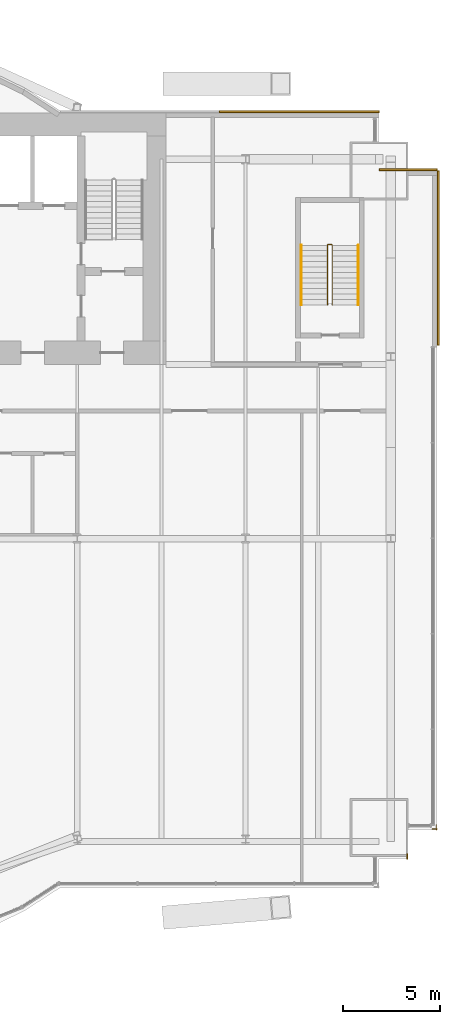
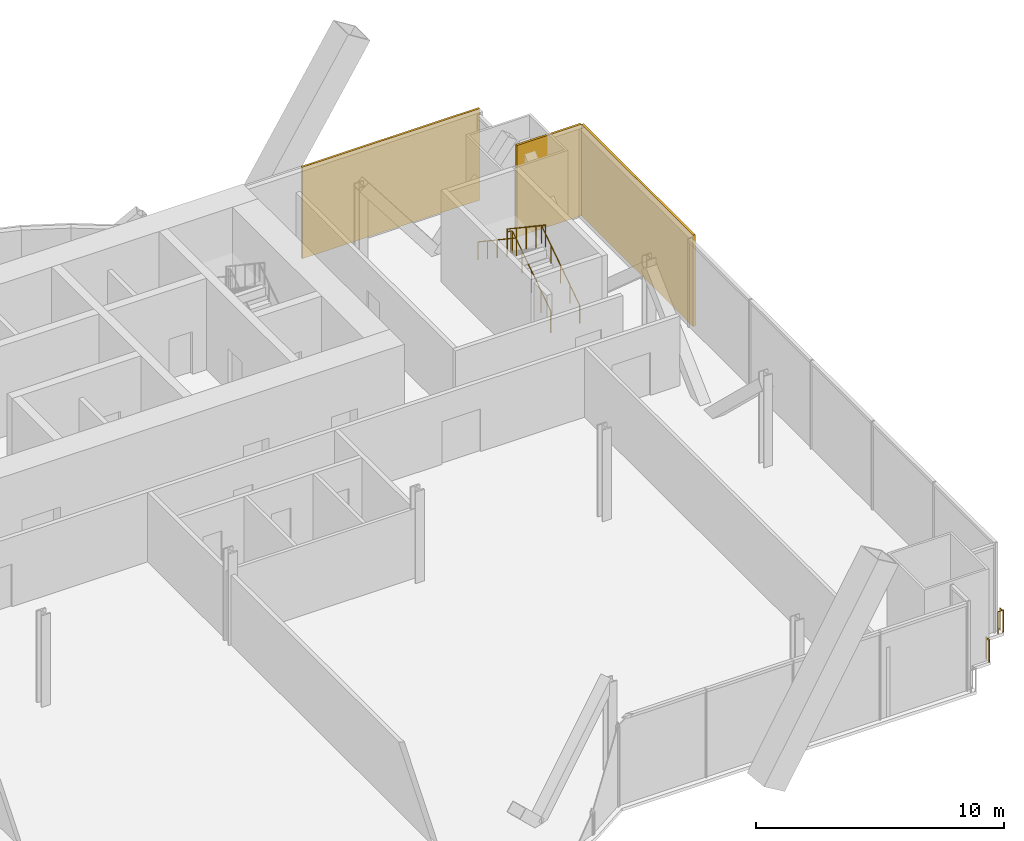
# One storey, part 22 of 22: 5 railings, 3 coverings.
"""IFC4 building model written with IfcOpenShell, lengths in metres."""

from ifc_helpers import new_model, si_unit, direction, frame, origin, origin_2d, place, context, subcontext, project, spatial, rectangle, circle, extrude, material, layer, layer_set, type_object, element, save


model = new_model("IFC4")

# Units and contexts
model_context = context("Model", 3, precision=1e-05, world=origin(), true_north=direction((0.0, 1.0)))
body_context = subcontext(model_context, "Body", "Model", "MODEL_VIEW")
ifc_project = project(units=[si_unit("LENGTHUNIT", "METRE"), si_unit("AREAUNIT", "SQUARE_METRE"), si_unit("VOLUMEUNIT", "CUBIC_METRE"), si_unit("PLANEANGLEUNIT", "RADIAN"), si_unit("MASSUNIT", "GRAM", prefix="KILO")], contexts=[model_context])

# Site, building, storey
site_placement = place(None, origin())
site = spatial("IfcSite", under=ifc_project, at=site_placement, CompositionType="ELEMENT")
building_placement = place(site_placement, origin())
building = spatial("IfcBuilding", under=site, at=building_placement, Name="Bicima Exchange Tower", CompositionType="ELEMENT")
storey_placement = place(building_placement, frame((0.0, 0.0, 71.0)))
storey = spatial("IfcBuildingStorey", under=building, at=storey_placement, Name="L14", CompositionType="ELEMENT", Elevation=71.0)

# Coverings
ifc_material_1 = material(Name="Bronze metal cladding")
ifc_layer_1 = layer(ifc_material_1, 0.004)
ifc_material_2 = material(Name="Ventilated cavity")
ifc_layer_2 = layer(ifc_material_2, 0.06)
ifc_material_3 = material(Name="Galvanised steel rail and mineral wool", Category="steel")
ifc_layer_3 = layer(ifc_material_3, 0.036)
ifc_layer_set = layer_set([ifc_layer_1, ifc_layer_2, ifc_layer_3], Name="Ventilated cavity")
covering_type = type_object("IfcCoveringType", Name="Bronze metal cladding panel 100", PredefinedType="CLADDING", material=ifc_layer_set)
covering_1_placement = place(storey_placement, frame((28.875, 0.050048828125, -0.14990234375), z_axis=(0.0, 0.0, 1.0), x_axis=(-1.0, 0.0, 0.0)))
element("IfcCovering", 1, at=covering_1_placement, inside=storey, type_object=covering_type, Name="Bronze cladding L14 1.1", PredefinedType="CLADDING", context=body_context, shape_type="SweptSolid", body=[
    extrude(rectangle(XDim=8.25, YDim=0.10009765625, at=origin_2d()), origin(), (0.0, 0.0, 1.0), 4.5),
])
covering_2_placement = place(storey_placement, frame((36.050048828125, -7.5, -0.14990234375), z_axis=(0.0, 0.0, 1.0), x_axis=(0.0, 1.0, 0.0)))
element("IfcCovering", 2, at=covering_2_placement, inside=storey, type_object=covering_type, Name="Bronze cladding L14 50.1", PredefinedType="CLADDING", context=body_context, shape_type="SweptSolid", body=[
    extrude(rectangle(XDim=9.0, YDim=0.10009765625, at=origin_2d()), origin(), (0.0, 0.0, 1.0), 4.5),
])
covering_3_placement = place(storey_placement, frame((34.5, -2.949951171875, -0.14990234375), z_axis=(0.0, 0.0, 1.0), x_axis=(-1.0, 0.0, 0.0)))
element("IfcCovering", 3, at=covering_3_placement, inside=storey, type_object=covering_type, Name="Bronze cladding L14 51.1", PredefinedType="CLADDING", context=body_context, shape_type="SweptSolid", body=[
    extrude(rectangle(XDim=3.0, YDim=0.10009765625, at=origin_2d()), origin(), (0.0, 0.0, 1.0), 4.5),
])

# Railings
ifc_material_4 = material(Name="Stainless steel and bonded safety glass", Category="steel")
railing_type_1 = type_object("IfcRailingType", Name="Edge guard 1100", PredefinedType="GUARDRAIL", material=ifc_material_4)
railing_1_placement = place(storey_placement, frame((35.949951171875, -36.799072265625, 0.0)))
element("IfcRailing", 4, at=railing_1_placement, inside=storey, type_object=railing_type_1, Name="Edge guard L14 64", PredefinedType="GUARDRAIL", context=body_context, shape_type="SweptSolid", body=[
    extrude(circle(Radius=0.02392578125, at=origin_2d()), frame((0.0, 0.0, 1.076171875), z_axis=(0.0, -1.0, 0.0), x_axis=(1.0, 0.0, 0.0)), (0.0, 0.0, 1.0), 0.2490234375),
    extrude(circle(Radius=0.02392578125, at=origin_2d()), frame((0.0, -0.2490234375, 1.076171875), z_axis=(0.707106781187, 0.707106781187, 0.0), x_axis=(-0.707106781187, 0.707106781187, 0.0)), (0.0, 0.0, 1.0), 0.07080078125),
    extrude(circle(Radius=0.02392578125, at=origin_2d()), frame((0.050048828125, -0.198974609375, 1.076171875), z_axis=(-1.0, 0.0, 0.0), x_axis=(0.0, -1.0, 0.0)), (0.0, 0.0, 1.0), 0.25),
    extrude(circle(Radius=0.02099609375, at=origin_2d()), origin(), (0.0, 0.0, 1.0), 1.052001953125),
    extrude(circle(Radius=0.02099609375, at=origin_2d()), frame((0.0, -0.2490234375, 0.0)), (0.0, 0.0, 1.0), 1.052001953125),
    extrude(circle(Radius=0.02099609375, at=origin_2d()), frame((0.050048828125, -0.198974609375, 0.0)), (0.0, 0.0, 1.0), 1.052001953125),
    extrude(circle(Radius=0.02099609375, at=origin_2d()), frame((-0.199951171875, -0.198974609375, 0.0)), (0.0, 0.0, 1.0), 1.052001953125),
])
railing_2_placement = place(storey_placement, frame((34.449951171875, -38.298095703125, 0.0)))
element("IfcRailing", 5, at=railing_2_placement, inside=storey, type_object=railing_type_1, Name="Edge guard L14 65", PredefinedType="GUARDRAIL", context=body_context, shape_type="SweptSolid", body=[
    extrude(circle(Radius=0.02392578125, at=origin_2d()), frame((0.0, 0.0, 1.076171875), z_axis=(0.0, -1.0, 0.0), x_axis=(1.0, 0.0, 0.0)), (0.0, 0.0, 1.0), 0.25),
    extrude(circle(Radius=0.02099609375, at=origin_2d()), origin(), (0.0, 0.0, 1.0), 1.052001953125),
    extrude(circle(Radius=0.02099609375, at=origin_2d()), frame((0.0, -0.25, 0.0)), (0.0, 0.0, 1.0), 1.052001953125),
])
ifc_material_5 = material(Name="Stainless steel", Category="steel")
railing_type_2 = type_object("IfcRailingType", Name="Stair guard 1100", PredefinedType="GUARDRAIL", material=ifc_material_5)
railing_3_placement = place(storey_placement, frame((30.574951171875, -9.925048828125, 0.1875)))
element("IfcRailing", 6, at=railing_3_placement, inside=storey, type_object=railing_type_2, Name="L14 ST-EE stair guard 1", PredefinedType="GUARDRAIL", context=body_context, shape_type="SweptSolid", body=[
    extrude(circle(Radius=0.02392578125, at=origin_2d()), frame((0.0, 0.0, 1.076171875), z_axis=(0.0, 0.830913701846, 0.55640131208), x_axis=(-1.0, 0.0, 0.0)), (0.0, 0.0, 1.0), 3.706787109375),
    extrude(circle(Radius=0.02392578125, at=origin_2d()), frame((0.0, 3.080078125, 3.138671875), z_axis=(-0.707106781187, 0.707106781187, 0.0), x_axis=(-0.707106781187, -0.707106781187, 0.0)), (0.0, 0.0, 1.0), 0.07080078125),
    extrude(circle(Radius=0.02392578125, at=origin_2d()), frame((-0.050048828125, 3.130126953125, 3.138671875), z_axis=(-1.0, 0.0, 0.0), x_axis=(0.0, -1.0, 0.0)), (0.0, 0.0, 1.0), 0.14990234375),
    extrude(circle(Radius=0.02392578125, at=origin_2d()), frame((-0.199951171875, 3.130126953125, 3.138671875), z_axis=(-0.249726431254, -0.249726431254, 0.935560483917), x_axis=(0.707106781187, -0.707106781187, 0.0)), (0.0, 0.0, 1.0), 0.200439453125),
    extrude(circle(Radius=0.02392578125, at=origin_2d()), frame((-0.25, 3.080078125, 3.326171875), z_axis=(0.0, -0.830913701846, 0.55640131208), x_axis=(1.0, 0.0, 0.0)), (0.0, 0.0, 1.0), 3.706787109375),
    extrude(circle(Radius=0.02099609375, at=origin_2d()), origin(), (0.0, 0.0, 1.0), 1.052001953125),
    extrude(circle(Radius=0.02099609375, at=origin_2d()), frame((0.0, 0.77001953125, 0.515625)), (0.0, 0.0, 1.0), 1.052001953125),
    extrude(circle(Radius=0.02099609375, at=origin_2d()), frame((0.0, 1.5400390625, 1.03125)), (0.0, 0.0, 1.0), 1.052001953125),
    extrude(circle(Radius=0.02099609375, at=origin_2d()), frame((0.0, 2.31005859375, 1.546875)), (0.0, 0.0, 1.0), 1.052001953125),
    extrude(circle(Radius=0.02099609375, at=origin_2d()), frame((0.0, 3.080078125, 2.0625)), (0.0, 0.0, 1.0), 1.052001953125),
    extrude(circle(Radius=0.02099609375, at=origin_2d()), frame((-0.050048828125, 3.130126953125, 2.0625)), (0.0, 0.0, 1.0), 1.052001953125),
    extrude(circle(Radius=0.02099609375, at=origin_2d()), frame((-0.199951171875, 3.130126953125, 2.0625)), (0.0, 0.0, 1.0), 1.052001953125),
    extrude(circle(Radius=0.02099609375, at=origin_2d()), frame((-0.25, 3.080078125, 2.25)), (0.0, 0.0, 1.0), 1.052001953125),
    extrude(circle(Radius=0.02099609375, at=origin_2d()), frame((-0.25, 2.31005859375, 2.765625)), (0.0, 0.0, 1.0), 1.052001953125),
    extrude(circle(Radius=0.02099609375, at=origin_2d()), frame((-0.25, 1.5400390625, 3.28125)), (0.0, 0.0, 1.0), 1.052001953125),
    extrude(circle(Radius=0.02099609375, at=origin_2d()), frame((-0.25, 0.77001953125, 3.796875)), (0.0, 0.0, 1.0), 1.052001953125),
    extrude(circle(Radius=0.02099609375, at=origin_2d()), frame((-0.25, 0.0, 4.3125)), (0.0, 0.0, 1.0), 1.052001953125),
])
railing_type_3 = type_object("IfcRailingType", Name="Stair handrail 900", PredefinedType="HANDRAIL", material=ifc_material_5)
railing_4_placement = place(storey_placement, frame((31.925048828125, -9.925048828125, 0.1875)))
element("IfcRailing", 7, at=railing_4_placement, inside=storey, type_object=railing_type_3, Name="L14 ST-EE stair handrail 1", PredefinedType="HANDRAIL", context=body_context, shape_type="SweptSolid", body=[
    extrude(circle(Radius=0.02392578125, at=origin_2d()), frame((0.0, 0.0, 0.8759765625), z_axis=(0.0, 0.830913701846, 0.55640131208), x_axis=(-1.0, 0.0, 0.0)), (0.0, 0.0, 1.0), 3.706787109375),
    extrude(circle(Radius=0.02099609375, at=origin_2d()), origin(), (0.0, 0.0, 1.0), 0.851806640625),
    extrude(circle(Radius=0.02099609375, at=origin_2d()), frame((0.0, 0.77001953125, 0.515625)), (0.0, 0.0, 1.0), 0.851806640625),
    extrude(circle(Radius=0.02099609375, at=origin_2d()), frame((0.0, 1.5400390625, 1.03125)), (0.0, 0.0, 1.0), 0.851806640625),
    extrude(circle(Radius=0.02099609375, at=origin_2d()), frame((0.0, 2.31005859375, 1.546875)), (0.0, 0.0, 1.0), 0.851806640625),
    extrude(circle(Radius=0.02099609375, at=origin_2d()), frame((0.0, 3.080078125, 2.0625)), (0.0, 0.0, 1.0), 0.851806640625),
])
railing_5_placement = place(storey_placement, frame((28.97509765625, -6.844970703125, 2.47900390625)))
element("IfcRailing", 8, at=railing_5_placement, inside=storey, type_object=railing_type_3, Name="L14 ST-EE stair handrail 2", PredefinedType="HANDRAIL", context=body_context, shape_type="SweptSolid", body=[
    extrude(circle(Radius=0.02392578125, at=origin_2d()), frame((0.0, 0.0, 0.8759765625), z_axis=(0.0, -0.830913701846, 0.55640131208), x_axis=(1.0, 0.0, 0.0)), (0.0, 0.0, 1.0), 3.706787109375),
    extrude(circle(Radius=0.02099609375, at=origin_2d()), origin(), (0.0, 0.0, 1.0), 0.851806640625),
    extrude(circle(Radius=0.02099609375, at=origin_2d()), frame((0.0, -0.77001953125, 0.515625)), (0.0, 0.0, 1.0), 0.851806640625),
    extrude(circle(Radius=0.02099609375, at=origin_2d()), frame((0.0, -1.5400390625, 1.03125)), (0.0, 0.0, 1.0), 0.851806640625),
    extrude(circle(Radius=0.02099609375, at=origin_2d()), frame((0.0, -2.31005859375, 1.546875)), (0.0, 0.0, 1.0), 0.851806640625),
    extrude(circle(Radius=0.02099609375, at=origin_2d()), frame((0.0, -3.080078125, 2.0625)), (0.0, 0.0, 1.0), 0.851806640625),
])

save(model, "model.ifc")
